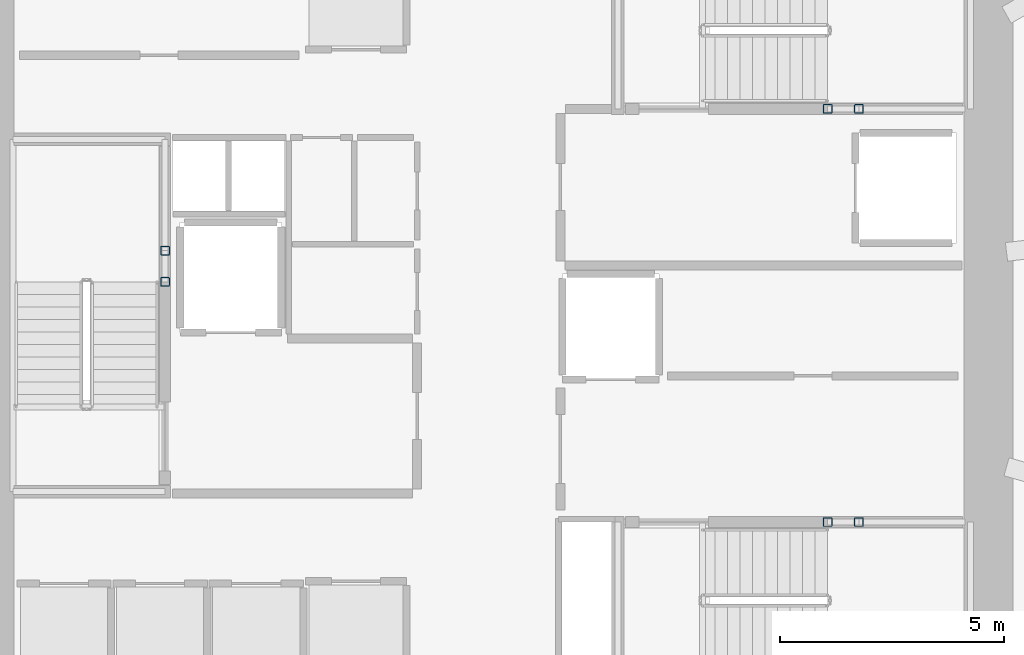
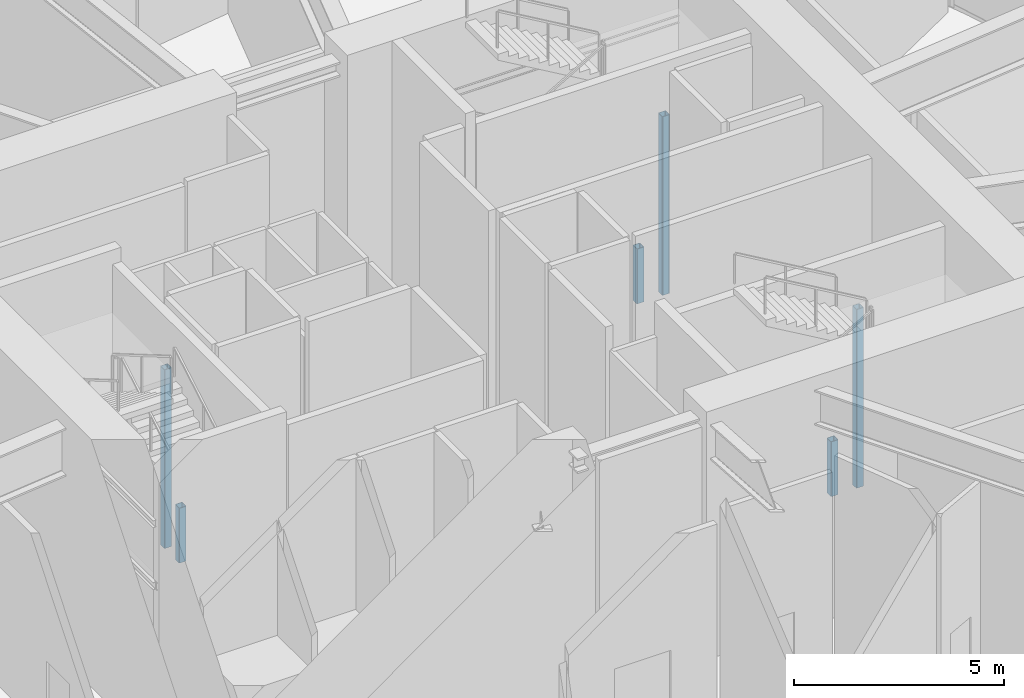
# One storey, part 3 of 28: 6 columns.
"""IFC4 building model written with IfcOpenShell, lengths in metres."""

from ifc_helpers import new_model, si_unit, direction, frame, origin, origin_2d, place, context, subcontext, project, spatial, hollow_rectangle, extrude, material, material_profile, profile_set, type_object, element, save


model = new_model("IFC4")

# Units and contexts
model_context = context("Model", 3, precision=1e-05, world=origin(), true_north=direction((0.0, 1.0)))
body_context = subcontext(model_context, "Body", "Model", "MODEL_VIEW")
ifc_project = project(units=[si_unit("LENGTHUNIT", "METRE"), si_unit("AREAUNIT", "SQUARE_METRE"), si_unit("VOLUMEUNIT", "CUBIC_METRE"), si_unit("PLANEANGLEUNIT", "RADIAN"), si_unit("MASSUNIT", "GRAM", prefix="KILO")], contexts=[model_context])

# Site, building, storey
site_placement = place(None, origin())
site = spatial("IfcSite", under=ifc_project, at=site_placement, CompositionType="ELEMENT")
building_placement = place(site_placement, origin())
building = spatial("IfcBuilding", under=site, at=building_placement, Name="Kazma Halo Residences", CompositionType="ELEMENT")
storey_placement = place(building_placement, origin())
storey = spatial("IfcBuildingStorey", under=building, at=storey_placement, Name="L00", CompositionType="ELEMENT", Elevation=0.0)

# Columns
ifc_material = material(Name="Steel S355", Category="steel")
ifc_material_profile = material_profile(ifc_material, hollow_rectangle(XDim=0.199951171875, YDim=0.199951171875, WallThickness=0.010009765625, InnerFilletRadius=0.010009765625, OuterFilletRadius=0.02001953125, at=origin_2d()), Name="SHS200x200x10")
ifc_profile_set = profile_set([ifc_material_profile], Name="Steel S355")
column_type = type_object("IfcColumnType", Name="COL-LP-SHS200", PredefinedType="COLUMN", material=ifc_profile_set)
column_1_placement = place(storey_placement, frame((41.179931640625, 42.75, 0.0), z_axis=(0.0, 0.0, 1.0), x_axis=(1.0, 0.0, 0.0)))
element("IfcColumn", 1, at=column_1_placement, inside=storey, type_object=column_type, Name="L00 ST-01 landing pilaster 1", PredefinedType="COLUMN", context=body_context, shape_type="SweptSolid", body=[
    extrude(hollow_rectangle(XDim=0.199951171875, YDim=0.199951171875, WallThickness=0.010009765625, InnerFilletRadius=0.010009765625, OuterFilletRadius=0.02001953125, at=origin_2d()), origin(), (0.0, 0.0, 1.0), 1.594970703125),
])
column_2_placement = place(storey_placement, frame((41.179931640625, 43.449951171875, 0.0), z_axis=(0.0, 0.0, 1.0), x_axis=(1.0, 0.0, 0.0)))
element("IfcColumn", 2, at=column_2_placement, inside=storey, type_object=column_type, Name="L00 ST-01 landing pilaster 3", PredefinedType="COLUMN", context=body_context, shape_type="SweptSolid", body=[
    extrude(hollow_rectangle(XDim=0.199951171875, YDim=0.199951171875, WallThickness=0.010009765625, InnerFilletRadius=0.010009765625, OuterFilletRadius=0.02001953125, at=origin_2d()), origin(), (0.0, 0.0, 1.0), 5.195068359375),
])
column_3_placement = place(storey_placement, frame((56.0, 46.6201171875, 0.0), z_axis=(0.0, 0.0, 1.0), x_axis=(1.0, 0.0, 0.0)))
element("IfcColumn", 3, at=column_3_placement, inside=storey, type_object=column_type, Name="L00 ST-02 landing pilaster 1", PredefinedType="COLUMN", context=body_context, shape_type="SweptSolid", body=[
    extrude(hollow_rectangle(XDim=0.199951171875, YDim=0.199951171875, WallThickness=0.010009765625, InnerFilletRadius=0.010009765625, OuterFilletRadius=0.02001953125, at=origin_2d()), origin(), (0.0, 0.0, 1.0), 1.594970703125),
])
column_4_placement = place(storey_placement, frame((56.699951171875, 46.6201171875, 0.0), z_axis=(0.0, 0.0, 1.0), x_axis=(1.0, 0.0, 0.0)))
element("IfcColumn", 4, at=column_4_placement, inside=storey, type_object=column_type, Name="L00 ST-02 landing pilaster 3", PredefinedType="COLUMN", context=body_context, shape_type="SweptSolid", body=[
    extrude(hollow_rectangle(XDim=0.199951171875, YDim=0.199951171875, WallThickness=0.010009765625, InnerFilletRadius=0.010009765625, OuterFilletRadius=0.02001953125, at=origin_2d()), origin(), (0.0, 0.0, 1.0), 5.195068359375),
])
column_5_placement = place(storey_placement, frame((56.0, 37.3798828125, 0.0), z_axis=(0.0, 0.0, 1.0), x_axis=(1.0, 0.0, 0.0)))
element("IfcColumn", 5, at=column_5_placement, inside=storey, type_object=column_type, Name="L00 ST-03 landing pilaster 1", PredefinedType="COLUMN", context=body_context, shape_type="SweptSolid", body=[
    extrude(hollow_rectangle(XDim=0.199951171875, YDim=0.199951171875, WallThickness=0.010009765625, InnerFilletRadius=0.010009765625, OuterFilletRadius=0.02001953125, at=origin_2d()), origin(), (0.0, 0.0, 1.0), 1.594970703125),
])
column_6_placement = place(storey_placement, frame((56.699951171875, 37.3798828125, 0.0), z_axis=(0.0, 0.0, 1.0), x_axis=(1.0, 0.0, 0.0)))
element("IfcColumn", 6, at=column_6_placement, inside=storey, type_object=column_type, Name="L00 ST-03 landing pilaster 3", PredefinedType="COLUMN", context=body_context, shape_type="SweptSolid", body=[
    extrude(hollow_rectangle(XDim=0.199951171875, YDim=0.199951171875, WallThickness=0.010009765625, InnerFilletRadius=0.010009765625, OuterFilletRadius=0.02001953125, at=origin_2d()), origin(), (0.0, 0.0, 1.0), 5.195068359375),
])

save(model, "model.ifc")
